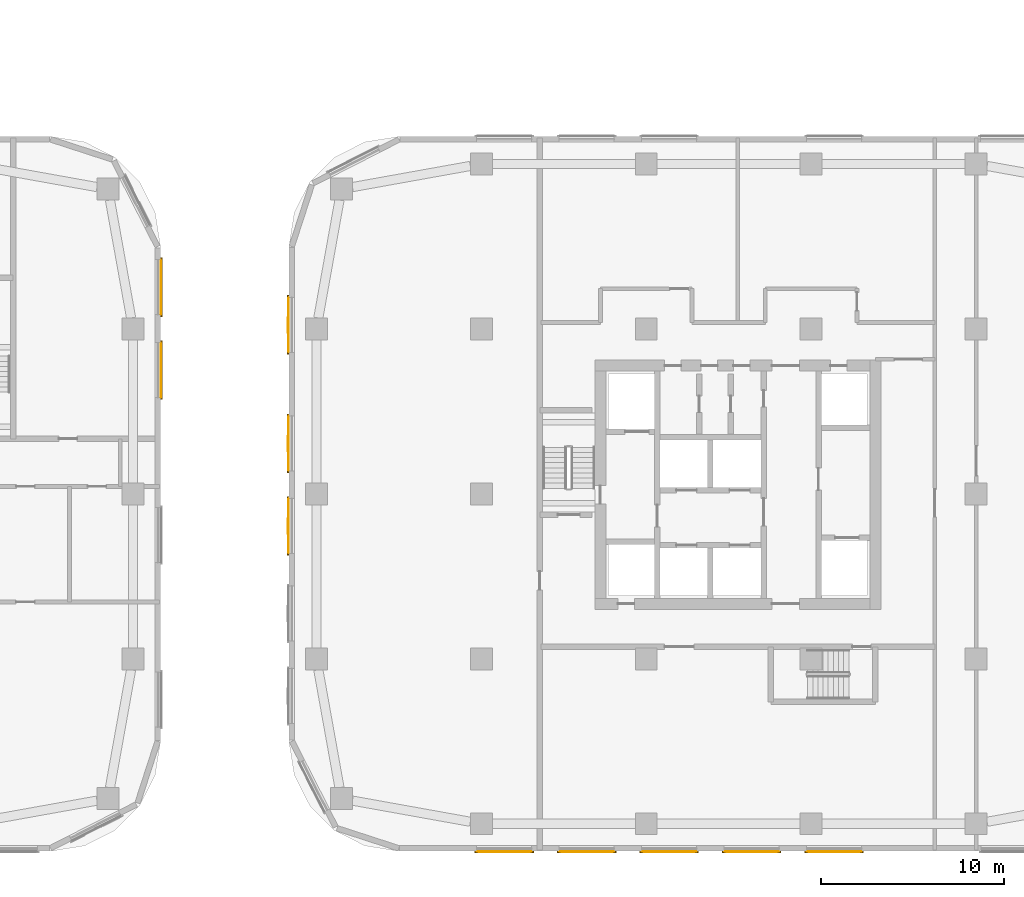
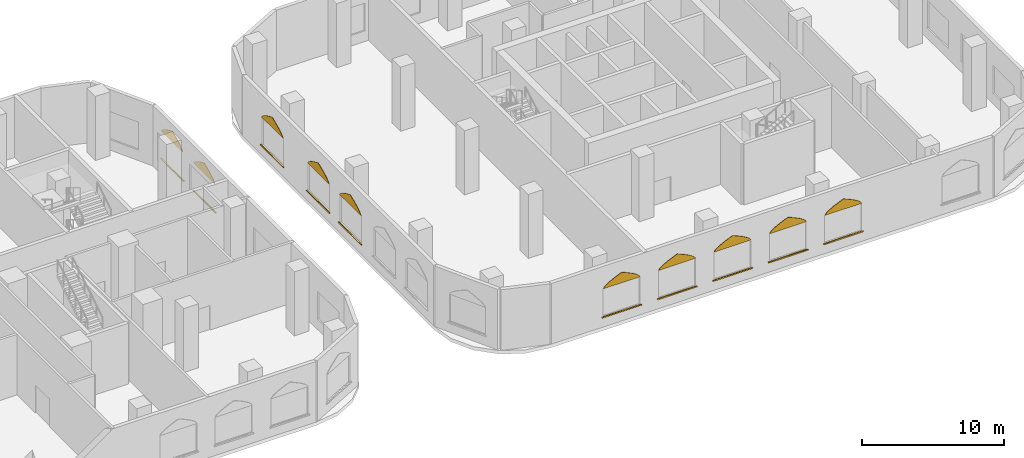
# One storey, part 29 of 31: 20 coverings.
"""IFC4 building model written with IfcOpenShell, lengths in metres."""

from ifc_helpers import new_model, si_unit, direction, frame, origin, origin_2d, place, context, subcontext, project, spatial, polyline, rectangle, outline, extrude, material, layer, layer_set, type_object, element, save


model = new_model("IFC4")

# Units and contexts
model_context = context("Model", 3, precision=1e-05, world=origin(), true_north=direction((0.0, 1.0)))
body_context = subcontext(model_context, "Body", "Model", "MODEL_VIEW")
ifc_project = project(units=[si_unit("LENGTHUNIT", "METRE"), si_unit("AREAUNIT", "SQUARE_METRE"), si_unit("VOLUMEUNIT", "CUBIC_METRE"), si_unit("PLANEANGLEUNIT", "RADIAN"), si_unit("MASSUNIT", "GRAM", prefix="KILO")], contexts=[model_context])

# Site, building, storey
site_placement = place(None, origin())
site = spatial("IfcSite", under=ifc_project, at=site_placement, CompositionType="ELEMENT")
building_placement = place(site_placement, origin())
building = spatial("IfcBuilding", under=site, at=building_placement, Name="Ogive Portal Towers", CompositionType="ELEMENT")
storey_placement = place(building_placement, frame((0.0, 0.0, 8.0)))
storey = spatial("IfcBuildingStorey", under=building, at=storey_placement, Name="L01", CompositionType="ELEMENT", Elevation=8.0)

# Coverings
ifc_material = material(Name="Limestone cladding on lightweight block wall", Category="masonry")
ifc_layer_1 = layer(ifc_material, 0.0400390625)
ifc_layer_set_1 = layer_set([ifc_layer_1], Name="LANCET HEAD STONE")
covering_type_1 = type_object("IfcCoveringType", Name="LANCET HEAD STONE", PredefinedType="CLADDING", material=ifc_layer_set_1)
covering_1_placement = place(storey_placement, frame((105.0, 35.75, 3.300048828125), z_axis=(-0.999950056531, 0.0, 0.009994220538), x_axis=(0.0, 1.0, 0.0)))
element("IfcCovering", 1, at=covering_1_placement, inside=storey, type_object=covering_type_1, Name="Lancet head", PredefinedType="CLADDING", context=body_context, shape_type="SweptSolid", body=[
    extrude(outline(polyline([(0.0, 0.0), (3.0, 0.0), (2.93359375, -0.11255540702230543), (2.8125, -0.22486424561759202), (2.655517578125, -0.3374196526398974), (2.4697265625, -0.4499726196669543), (2.2587890625, -0.5625280266892596), (2.025634765625, -0.6750834337115651), (1.772216796875, -0.7873922723068517), (1.5, -0.8999476793291572), (1.227783203125, -0.7873922723068517), (0.974365234375, -0.6750834337115651), (0.7412109375, -0.5625280266892596), (0.5302734375, -0.4499726196669543), (0.344482421875, -0.3374196526398974), (0.1875, -0.22486424561759202), (0.06640625, -0.11255540702230543), (0.0, 0.0)])), origin(), (0.0, 0.0, -1.0), 0.0400390625),
])
covering_2_placement = place(storey_placement, frame((105.0, 40.273681640625, 3.300048828125), z_axis=(-0.99995005646, 0.0, 0.009994227635), x_axis=(0.0, 1.0, 0.0)))
element("IfcCovering", 2, at=covering_2_placement, inside=storey, type_object=covering_type_1, Name="Lancet head", PredefinedType="CLADDING", context=body_context, shape_type="SweptSolid", body=[
    extrude(outline(polyline([(0.0, 0.0), (3.0, 0.0), (2.933837890625, -0.11255540702298532), (2.8125, -0.22486424561723664), (2.655517578125, -0.33741965264022195), (2.4697265625, -0.44997261966622615), (2.259033203125, -0.5625280266892115), (2.02587890625, -0.6750834337121968), (1.7724609375, -0.7873922723064481), (1.5, -0.8999476793294334), (1.227783203125, -0.7873922723064481), (0.974365234375, -0.6750834337121968), (0.7412109375, -0.5625280266892115), (0.530517578125, -0.44997261966622615), (0.344482421875, -0.33741965264022195), (0.1875, -0.22486424561723664), (0.06640625, -0.11255540702298532), (0.0, 0.0)])), origin(), (0.0, 0.0, -1.0), 0.0400390625),
])
for number, where, z_axis, x_axis, name in (
    (3, (122.25, 11.0, 3.300048828125), (0.0, 0.999950056531, 0.009994220538), (1.0, 0.0, 0.0), "Lancet head"),
    (4, (126.75, 11.0, 3.300048828125), (0.0, 0.999950056531, 0.009994220538), (1.0, 0.0, 0.0), "Lancet head"),
    (5, (131.25, 11.0, 3.300048828125), (0.0, 0.999950056531, 0.009994220538), (1.0, 0.0, 0.0), "Lancet head"),
    (6, (135.75, 11.0, 3.300048828125), (0.0, 0.999950056531, 0.009994220538), (1.0, 0.0, 0.0), "Lancet head"),
    (7, (140.25, 11.0, 3.300048828125), (0.0, 0.999950056531, 0.009994220538), (1.0, 0.0, 0.0), "Lancet head"),
):
    element("IfcCovering", number, at=place(storey_placement, frame(where, z_axis=z_axis, x_axis=x_axis)), inside=storey, type_object=covering_type_1, Name=name, PredefinedType="CLADDING", context=body_context, shape_type="SweptSolid", body=[
        extrude(outline(polyline([(0.0, 0.0), (3.0, 0.0), (2.93359375, -0.11255540702230543), (2.8125, -0.22486424561759202), (2.655517578125, -0.3374196526398974), (2.4697265625, -0.4499726196669543), (2.2587890625, -0.5625280266892596), (2.025634765625, -0.6750834337115651), (1.772216796875, -0.7873922723068517), (1.5, -0.8999476793291572), (1.227783203125, -0.7873922723068517), (0.974365234375, -0.6750834337115651), (0.7412109375, -0.5625280266892596), (0.5302734375, -0.4499726196669543), (0.344482421875, -0.3374196526398974), (0.1875, -0.22486424561759202), (0.06640625, -0.11255540702230543), (0.0, 0.0)])), origin(), (0.0, 0.0, -1.0), 0.0400390625),
    ])
covering_3_placement = place(storey_placement, frame((112.0, 41.226318359375, 3.300048828125), z_axis=(0.99995005646, 0.0, 0.009994227635), x_axis=(0.0, -1.0, 0.0)))
element("IfcCovering", 8, at=covering_3_placement, inside=storey, type_object=covering_type_1, Name="Lancet head", PredefinedType="CLADDING", context=body_context, shape_type="SweptSolid", body=[
    extrude(outline(polyline([(0.0, 0.0), (3.0, 0.0), (2.933837890625, -0.11255540702298532), (2.8125, -0.22486424561723664), (2.655517578125, -0.33741965264022195), (2.4697265625, -0.44997261966622615), (2.259033203125, -0.5625280266892115), (2.02587890625, -0.6750834337121968), (1.7724609375, -0.7873922723064481), (1.5, -0.8999476793294334), (1.227783203125, -0.7873922723064481), (0.974365234375, -0.6750834337121968), (0.7412109375, -0.5625280266892115), (0.530517578125, -0.44997261966622615), (0.344482421875, -0.33741965264022195), (0.1875, -0.22486424561723664), (0.06640625, -0.11255540702298532), (0.0, 0.0)])), origin(), (0.0, 0.0, -1.0), 0.0400390625),
])
for number, where, z_axis, x_axis, name in (
    (9, (112.0, 34.75, 3.300048828125), (0.999950056531, 0.0, 0.009994220538), (0.0, -1.0, 0.0), "Lancet head"),
    (10, (112.0, 30.25, 3.300048828125), (0.999950056531, 0.0, 0.009994220538), (0.0, -1.0, 0.0), "Lancet head"),
):
    element("IfcCovering", number, at=place(storey_placement, frame(where, z_axis=z_axis, x_axis=x_axis)), inside=storey, type_object=covering_type_1, Name=name, PredefinedType="CLADDING", context=body_context, shape_type="SweptSolid", body=[
        extrude(outline(polyline([(0.0, 0.0), (3.0, 0.0), (2.93359375, -0.11255540702230543), (2.8125, -0.22486424561759202), (2.655517578125, -0.3374196526398974), (2.4697265625, -0.4499726196669543), (2.2587890625, -0.5625280266892596), (2.025634765625, -0.6750834337115651), (1.772216796875, -0.7873922723068517), (1.5, -0.8999476793291572), (1.227783203125, -0.7873922723068517), (0.974365234375, -0.6750834337115651), (0.7412109375, -0.5625280266892596), (0.5302734375, -0.4499726196669543), (0.344482421875, -0.3374196526398974), (0.1875, -0.22486424561759202), (0.06640625, -0.11255540702230543), (0.0, 0.0)])), origin(), (0.0, 0.0, -1.0), 0.0400390625),
    ])
ifc_layer_2 = layer(ifc_material, 0.080078125)
ifc_layer_set_2 = layer_set([ifc_layer_2], Name="STONE SILL 80")
covering_type_2 = type_object("IfcCoveringType", Name="STONE SILL 80", PredefinedType="CLADDING", material=ifc_layer_set_2)
for number, where, z_axis, x_axis, name in (
    (11, (105.0400390625, 37.25, 0.840087890625), (0.0, 0.0, 1.0), (0.0, 1.0, 0.0), "Stone sill"),
    (12, (105.0400390625, 41.773681640625, 0.840087890625), (0.0, 0.0, 1.0), (0.0, 1.0, 0.0), "Stone sill"),
    (13, (123.75, 10.9599609375, 0.840087890625), (0.0, 0.0, 1.0), (1.0, 0.0, 0.0), "Stone sill"),
    (14, (128.25, 10.9599609375, 0.840087890625), (0.0, 0.0, 1.0), (1.0, 0.0, 0.0), "Stone sill"),
    (15, (132.75, 10.9599609375, 0.840087890625), (0.0, 0.0, 1.0), (1.0, 0.0, 0.0), "Stone sill"),
    (16, (137.25, 10.9599609375, 0.840087890625), (0.0, 0.0, 1.0), (1.0, 0.0, 0.0), "Stone sill"),
    (17, (141.75, 10.9599609375, 0.840087890625), (0.0, 0.0, 1.0), (1.0, 0.0, 0.0), "Stone sill"),
    (18, (111.9599609375, 39.726318359375, 0.840087890625), (0.0, 0.0, 1.0), (0.0, -1.0, 0.0), "Stone sill"),
    (19, (111.9599609375, 33.25, 0.840087890625), (0.0, 0.0, 1.0), (0.0, -1.0, 0.0), "Stone sill"),
    (20, (111.9599609375, 28.75, 0.840087890625), (0.0, 0.0, 1.0), (0.0, -1.0, 0.0), "Stone sill"),
):
    element("IfcCovering", number, at=place(storey_placement, frame(where, z_axis=z_axis, x_axis=x_axis)), inside=storey, type_object=covering_type_2, Name=name, PredefinedType="CLADDING", context=body_context, shape_type="SweptSolid", body=[
        extrude(rectangle(XDim=3.199951171875, YDim=0.080078125, at=origin_2d()), origin(), (0.0, 0.0, 1.0), 0.06005859375),
    ])

save(model, "model.ifc")
